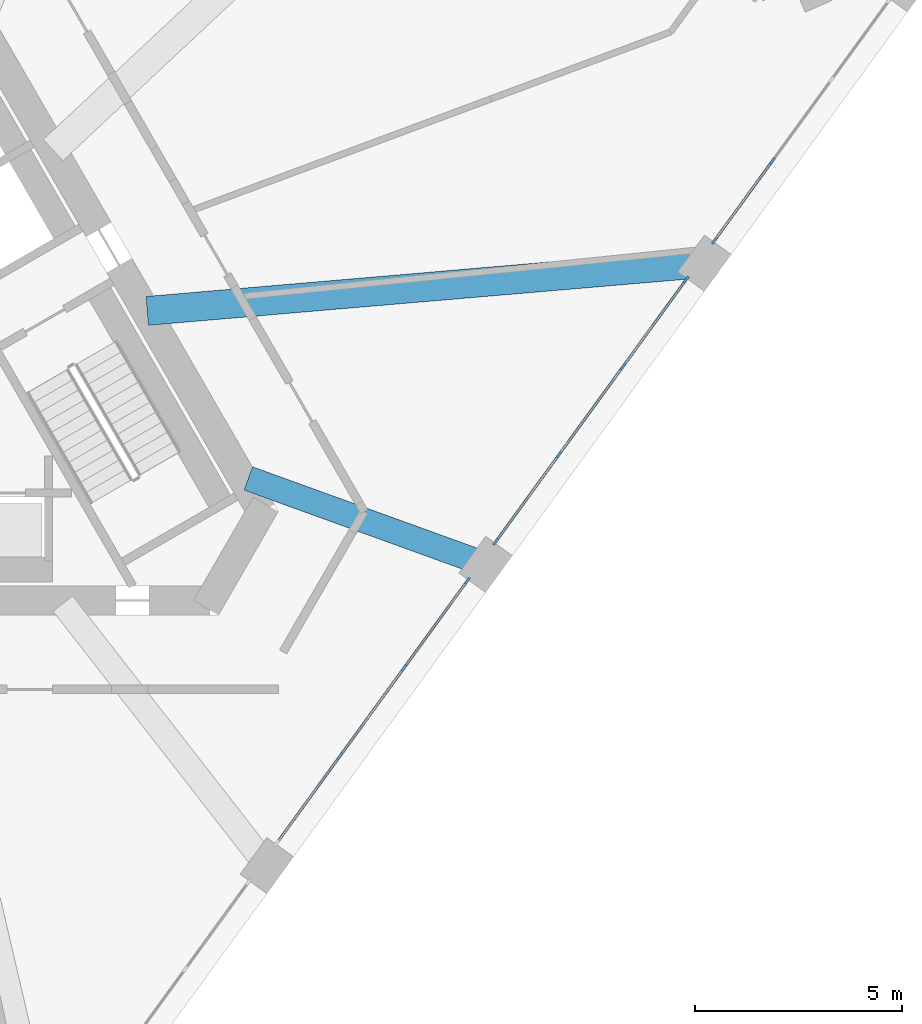
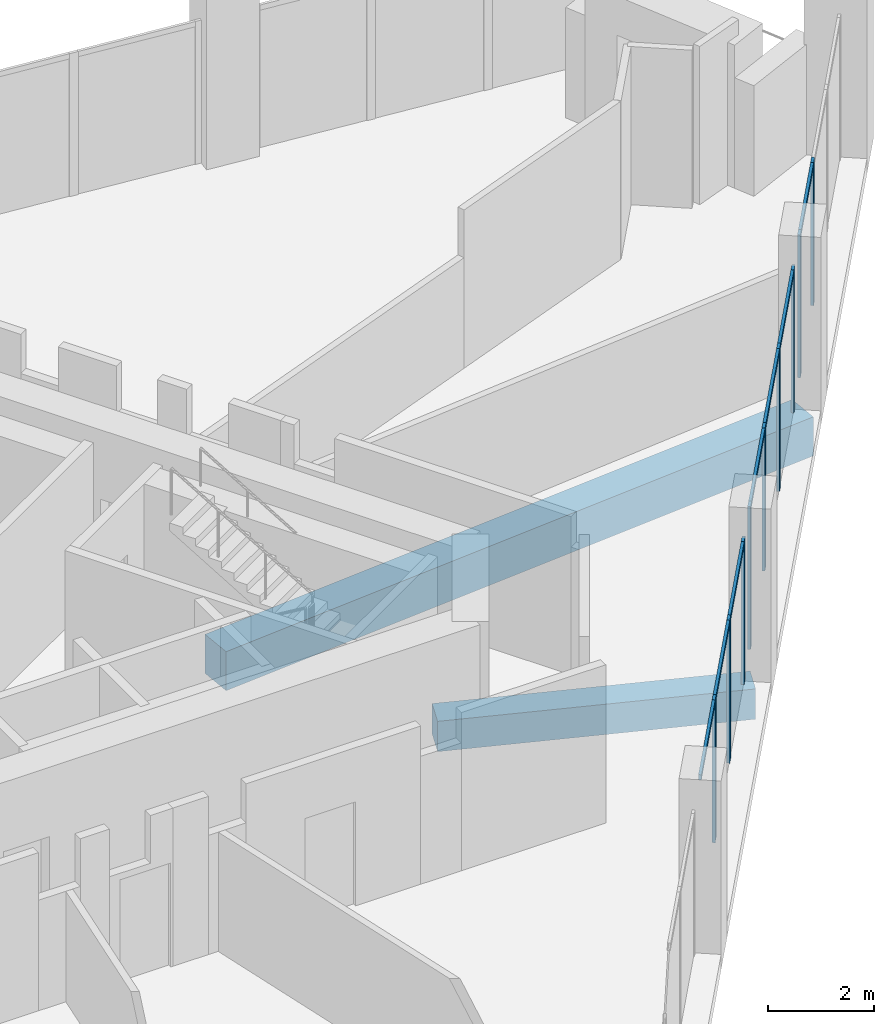
# One storey, part 4 of 15: 16 members, 2 beams, 3 elements without a shape of their own.
"""IFC4 building model written with IfcOpenShell, lengths in metres."""

from ifc_helpers import new_model, si_unit, direction, frame, origin, origin_2d, place, context, subcontext, project, spatial, rectangle, extrude, material, layer, layer_set, material_profile, profile_set, type_object, element, aggregate, save


model = new_model("IFC4")

# Units and contexts
model_context = context("Model", 3, precision=1e-05, world=origin(), true_north=direction((0.0, 1.0)))
body_context = subcontext(model_context, "Body", "Model", "MODEL_VIEW")
ifc_project = project(units=[si_unit("LENGTHUNIT", "METRE"), si_unit("AREAUNIT", "SQUARE_METRE"), si_unit("VOLUMEUNIT", "CUBIC_METRE"), si_unit("PLANEANGLEUNIT", "RADIAN"), si_unit("MASSUNIT", "GRAM", prefix="KILO")], contexts=[model_context])

# Site, building, storey
site_placement = place(None, origin())
site = spatial("IfcSite", under=ifc_project, at=site_placement, CompositionType="ELEMENT")
building_placement = place(site_placement, origin())
building = spatial("IfcBuilding", under=site, at=building_placement, Name="Tramontana Tower", CompositionType="ELEMENT")
storey_placement = place(building_placement, frame((0.0, 0.0, 237.199951171875)))
storey = spatial("IfcBuildingStorey", under=building, at=storey_placement, Name="L55", CompositionType="ELEMENT", Elevation=237.199951171875)

# Curtain wall, members
ifc_material_1 = material(Name="Aluminum extrusion", Category="aluminium")
ifc_layer = layer(ifc_material_1, 0.14990234375)
ifc_layer_set = layer_set([ifc_layer], Name="CW4 Sky lobby 2 curtain wall")
curtain_wall_type = type_object("IfcCurtainWallType", Name="CW4 Sky lobby 2 curtain wall", PredefinedType="NOTDEFINED", material=ifc_layer_set)
curtain_wall_1_placement = place(storey_placement, origin())
curtain_wall_1 = element("IfcCurtainWall", 1, at=curtain_wall_1_placement, inside=storey, type_object=curtain_wall_type, Name="CW4 curtain wall L55 face 1 bay 3", PredefinedType="NOTDEFINED")
ifc_material_2 = material(Name="Aluminum extrusion", Category="aluminium")
ifc_material_profile_1 = material_profile(ifc_material_2, rectangle(XDim=0.06005859375, YDim=0.179931640625, at=origin_2d()), Name="CW4-M Mullion 60 x 180")
ifc_profile_set_1 = profile_set([ifc_material_profile_1], Name="Aluminum extrusion")
member_type_1 = type_object("IfcMemberType", Name="CW4-M Mullion 60 x 180", PredefinedType="MULLION", material=ifc_profile_set_1)
member_1_placement = place(storey_placement, frame((11.744873046875, -10.162109375, 0.0), z_axis=(0.0, 0.0, 1.0), x_axis=(-0.809016994375, 0.587785252292, 0.0)))
member_1 = element("IfcMember", 2, at=member_1_placement, type_object=member_type_1, Name="CW4 curtain wall L55 face 1 bay 3 mullion 2", PredefinedType="MULLION", context=body_context, shape_type="SweptSolid", body=[
    extrude(rectangle(XDim=0.06005859375, YDim=0.179931640625, at=origin_2d()), origin(), (0.0, 0.0, 1.0), 3.300048828125),
])
member_2_placement = place(storey_placement, frame((13.294189453125, -8.02978515625, 0.0), z_axis=(0.0, 0.0, 1.0), x_axis=(-0.809016994375, 0.587785252292, 0.0)))
member_2 = element("IfcMember", 3, at=member_2_placement, type_object=member_type_1, Name="CW4 curtain wall L55 face 1 bay 3 mullion 3", PredefinedType="MULLION", context=body_context, shape_type="SweptSolid", body=[
    extrude(rectangle(XDim=0.06005859375, YDim=0.179931640625, at=origin_2d()), origin(), (0.0, 0.0, 1.0), 3.300048828125),
])
member_3_placement = place(storey_placement, frame((14.82568359375, -5.921875, 0.0), z_axis=(0.0, 0.0, 1.0), x_axis=(-0.809016994375, 0.587785252292, 0.0)))
member_3 = element("IfcMember", 4, at=member_3_placement, type_object=member_type_1, Name="CW4 curtain wall L55 face 1 bay 3 mullion 4", PredefinedType="MULLION", context=body_context, shape_type="SweptSolid", body=[
    extrude(rectangle(XDim=0.06005859375, YDim=0.179931640625, at=origin_2d()), origin(), (0.0, 0.0, 1.0), 3.300048828125),
])

curtain_wall_2_placement = place(storey_placement, origin())
curtain_wall_2 = element("IfcCurtainWall", 5, at=curtain_wall_2_placement, inside=storey, type_object=curtain_wall_type, Name="CW4 curtain wall L55 face 1 bay 4", PredefinedType="NOTDEFINED")
member_4_placement = place(storey_placement, frame((15.50732421875, -4.9833984375, 0.0), z_axis=(0.0, 0.0, 1.0), x_axis=(-0.809016994375, 0.587785252292, 0.0)))
member_4 = element("IfcMember", 6, at=member_4_placement, type_object=member_type_1, Name="CW4 curtain wall L55 face 1 bay 4 mullion 1", PredefinedType="MULLION", context=body_context, shape_type="SweptSolid", body=[
    extrude(rectangle(XDim=0.06005859375, YDim=0.179931640625, at=origin_2d()), origin(), (0.0, 0.0, 1.0), 3.300048828125),
])
member_5_placement = place(storey_placement, frame((17.0390625, -2.87548828125, 0.0), z_axis=(0.0, 0.0, 1.0), x_axis=(-0.809016994375, 0.587785252292, 0.0)))
member_5 = element("IfcMember", 7, at=member_5_placement, type_object=member_type_1, Name="CW4 curtain wall L55 face 1 bay 4 mullion 2", PredefinedType="MULLION", context=body_context, shape_type="SweptSolid", body=[
    extrude(rectangle(XDim=0.06005859375, YDim=0.179931640625, at=origin_2d()), origin(), (0.0, 0.0, 1.0), 3.300048828125),
])
member_6_placement = place(storey_placement, frame((18.588134765625, -0.743408203125, 0.0), z_axis=(0.0, 0.0, 1.0), x_axis=(-0.809016994375, 0.587785252292, 0.0)))
member_6 = element("IfcMember", 8, at=member_6_placement, type_object=member_type_1, Name="CW4 curtain wall L55 face 1 bay 4 mullion 3", PredefinedType="MULLION", context=body_context, shape_type="SweptSolid", body=[
    extrude(rectangle(XDim=0.06005859375, YDim=0.179931640625, at=origin_2d()), origin(), (0.0, 0.0, 1.0), 3.300048828125),
])
member_7_placement = place(storey_placement, frame((20.11962890625, 1.364501953125, 0.0), z_axis=(0.0, 0.0, 1.0), x_axis=(-0.809016994375, 0.587785252292, 0.0)))
member_7 = element("IfcMember", 9, at=member_7_placement, type_object=member_type_1, Name="CW4 curtain wall L55 face 1 bay 4 mullion 4", PredefinedType="MULLION", context=body_context, shape_type="SweptSolid", body=[
    extrude(rectangle(XDim=0.06005859375, YDim=0.179931640625, at=origin_2d()), origin(), (0.0, 0.0, 1.0), 3.300048828125),
])

curtain_wall_3_placement = place(storey_placement, origin())
curtain_wall_3 = element("IfcCurtainWall", 10, at=curtain_wall_3_placement, inside=storey, type_object=curtain_wall_type, Name="CW4 curtain wall L55 face 1 bay 5", PredefinedType="NOTDEFINED")
member_8_placement = place(storey_placement, frame((20.801513671875, 2.302978515625, 0.0), z_axis=(0.0, 0.0, 1.0), x_axis=(-0.809016994375, 0.587785252292, 0.0)))
member_8 = element("IfcMember", 11, at=member_8_placement, type_object=member_type_1, Name="CW4 curtain wall L55 face 1 bay 5 mullion 1", PredefinedType="MULLION", context=body_context, shape_type="SweptSolid", body=[
    extrude(rectangle(XDim=0.06005859375, YDim=0.179931640625, at=origin_2d()), origin(), (0.0, 0.0, 1.0), 3.300048828125),
])
member_9_placement = place(storey_placement, frame((22.20556640625, 4.23583984375, 0.0), z_axis=(0.0, 0.0, 1.0), x_axis=(-0.809016994375, 0.587785252292, 0.0)))
member_9 = element("IfcMember", 12, at=member_9_placement, type_object=member_type_1, Name="CW4 curtain wall L55 face 1 bay 5 mullion 2", PredefinedType="MULLION", context=body_context, shape_type="SweptSolid", body=[
    extrude(rectangle(XDim=0.06005859375, YDim=0.179931640625, at=origin_2d()), origin(), (0.0, 0.0, 1.0), 3.300048828125),
])

# Member
ifc_material_3 = material(Name="Aluminum extrusion", Category="aluminium")
ifc_material_profile_2 = material_profile(ifc_material_3, rectangle(XDim=0.06005859375, YDim=0.1201171875, at=origin_2d()), Name="CW4-T Transom 60 x 120")
ifc_profile_set_2 = profile_set([ifc_material_profile_2], Name="Aluminum extrusion")
member_type_2 = type_object("IfcMemberType", Name="CW4-T Transom 60 x 120", PredefinedType="USERDEFINED", material=ifc_profile_set_2)
member_10_placement = place(storey_placement, frame((10.231201171875, -12.245849609375, 3.239990234375), z_axis=(0.587715399918, 0.809067740488, 0.0), x_axis=(-0.809067740488, 0.587715399918, 0.0)))
member_10 = element("IfcMember", 13, at=member_10_placement, type_object=member_type_2, Name="CW4 curtain wall L55 face 1 bay 3 transom 1.1", ObjectType="TRANSOM", PredefinedType="USERDEFINED", context=body_context, shape_type="SweptSolid", body=[
    extrude(rectangle(XDim=0.06005859375, YDim=0.1201171875, at=origin_2d()), origin(), (0.0, 0.0, 1.0), 2.545654296875),
])

member_11_placement = place(storey_placement, frame((11.7626953125, -10.1376953125, 3.239990234375), z_axis=(0.587765773141, 0.809031146449, 0.0), x_axis=(-0.809031146449, 0.587765773141, 0.0)))
member_11 = element("IfcMember", 14, at=member_11_placement, type_object=member_type_2, Name="CW4 curtain wall L55 face 1 bay 3 transom 2.1", ObjectType="TRANSOM", PredefinedType="USERDEFINED", context=body_context, shape_type="SweptSolid", body=[
    extrude(rectangle(XDim=0.06005859375, YDim=0.1201171875, at=origin_2d()), origin(), (0.0, 0.0, 1.0), 2.5751953125),
])

member_12_placement = place(storey_placement, frame((13.311767578125, -8.005615234375, 3.239990234375), z_axis=(0.587761006243, 0.809034609606, 0.0), x_axis=(-0.809034609606, 0.587761006243, 0.0)))
member_12 = element("IfcMember", 15, at=member_12_placement, type_object=member_type_2, Name="CW4 curtain wall L55 face 1 bay 3 transom 3.1", ObjectType="TRANSOM", PredefinedType="USERDEFINED", context=body_context, shape_type="SweptSolid", body=[
    extrude(rectangle(XDim=0.06005859375, YDim=0.1201171875, at=origin_2d()), origin(), (0.0, 0.0, 1.0), 2.54541015625),
])

aggregate(curtain_wall_1, [member_1, member_2, member_3, member_10, member_11, member_12])

member_13_placement = place(storey_placement, frame((15.525146484375, -4.959228515625, 3.239990234375), z_axis=(0.587761006243, 0.809034609606, 0.0), x_axis=(-0.809034609606, 0.587761006243, 0.0)))
member_13 = element("IfcMember", 16, at=member_13_placement, type_object=member_type_2, Name="CW4 curtain wall L55 face 1 bay 4 transom 1.1", ObjectType="TRANSOM", PredefinedType="USERDEFINED", context=body_context, shape_type="SweptSolid", body=[
    extrude(rectangle(XDim=0.06005859375, YDim=0.1201171875, at=origin_2d()), origin(), (0.0, 0.0, 1.0), 2.54541015625),
])

member_14_placement = place(storey_placement, frame((17.056640625, -2.851318359375, 3.239990234375), z_axis=(0.587782741134, 0.809018818832, 0.0), x_axis=(-0.809018818832, 0.587782741134, 0.0)))
member_14 = element("IfcMember", 17, at=member_14_placement, type_object=member_type_2, Name="CW4 curtain wall L55 face 1 bay 4 transom 2.1", ObjectType="TRANSOM", PredefinedType="USERDEFINED", context=body_context, shape_type="SweptSolid", body=[
    extrude(rectangle(XDim=0.06005859375, YDim=0.1201171875, at=origin_2d()), origin(), (0.0, 0.0, 1.0), 2.57568359375),
])

member_15_placement = place(storey_placement, frame((18.605712890625, -0.718994140625, 3.239990234375), z_axis=(0.587823780198, 0.808989000811, 0.0), x_axis=(-0.808989000811, 0.587823780198, 0.0)))
member_15 = element("IfcMember", 18, at=member_15_placement, type_object=member_type_2, Name="CW4 curtain wall L55 face 1 bay 4 transom 3.1", ObjectType="TRANSOM", PredefinedType="USERDEFINED", context=body_context, shape_type="SweptSolid", body=[
    extrude(rectangle(XDim=0.06005859375, YDim=0.1201171875, at=origin_2d()), origin(), (0.0, 0.0, 1.0), 2.545654296875),
])

aggregate(curtain_wall_2, [member_4, member_5, member_6, member_7, member_13, member_14, member_15])

member_16_placement = place(storey_placement, frame((20.819091796875, 2.327392578125, 3.239990234375), z_axis=(0.587803868086, 0.809003468882, 0.0), x_axis=(-0.809003468882, 0.587803868086, 0.0)))
member_16 = element("IfcMember", 19, at=member_16_placement, type_object=member_type_2, Name="CW4 curtain wall L55 face 1 bay 5 transom 1.1", ObjectType="TRANSOM", PredefinedType="USERDEFINED", context=body_context, shape_type="SweptSolid", body=[
    extrude(rectangle(XDim=0.06005859375, YDim=0.1201171875, at=origin_2d()), origin(), (0.0, 0.0, 1.0), 2.328857421875),
])

aggregate(curtain_wall_3, [member_8, member_9, member_16])

# Beams
ifc_material_4 = material(Name="Concrete 40 MPa", Category="concrete")
ifc_material_profile_3 = material_profile(ifc_material_4, rectangle(XDim=0.60009765625, YDim=0.699951171875, at=origin_2d()), Name="RC GIRDER 600X700 40 MPa")
ifc_profile_set_3 = profile_set([ifc_material_profile_3], Name="Concrete 40 MPa")
beam_type_1 = type_object("IfcBeamType", Name="RC GIRDER 600X700 40 MPa", PredefinedType="BEAM", material=ifc_profile_set_3)
beam_1_placement = place(storey_placement, frame((15.267578125, -5.526123046875, -0.699951171875), z_axis=(-0.940300037895, 0.34034664496, 0.0), x_axis=(-0.34034664496, -0.940300037895, 0.0)))
element("IfcBeam", 20, at=beam_1_placement, inside=storey, type_object=beam_type_1, Name="Radial girder C6F07 L55", PredefinedType="BEAM", context=body_context, shape_type="SweptSolid", body=[
    extrude(rectangle(XDim=0.60009765625, YDim=0.699951171875, at=origin_2d()), origin(), (0.0, 0.0, 1.0), 6.108154296875),
])
ifc_material_5 = material(Name="Concrete 40 MPa", Category="concrete")
ifc_material_profile_4 = material_profile(ifc_material_5, rectangle(XDim=0.699951171875, YDim=0.89990234375, at=origin_2d()), Name="RC GIRDER 700X900 40 MPa")
ifc_profile_set_4 = profile_set([ifc_material_profile_4], Name="Concrete 40 MPa")
beam_type_2 = type_object("IfcBeamType", Name="RC GIRDER 700X900 40 MPa", PredefinedType="BEAM", material=ifc_profile_set_4)
beam_2_placement = place(storey_placement, frame((20.5615234375, 1.760498046875, -0.800048828125), z_axis=(-0.996353926175, -0.085316198904, 0.0), x_axis=(0.085316198904, -0.996353926175, 0.0)))
element("IfcBeam", 21, at=beam_2_placement, inside=storey, type_object=beam_type_2, Name="Radial girder C6F08 L55", PredefinedType="BEAM", context=body_context, shape_type="SweptSolid", body=[
    extrude(rectangle(XDim=0.699951171875, YDim=0.89990234375, at=origin_2d()), origin(), (0.0, 0.0, 1.0), 13.532470703125),
])

save(model, "model.ifc")
